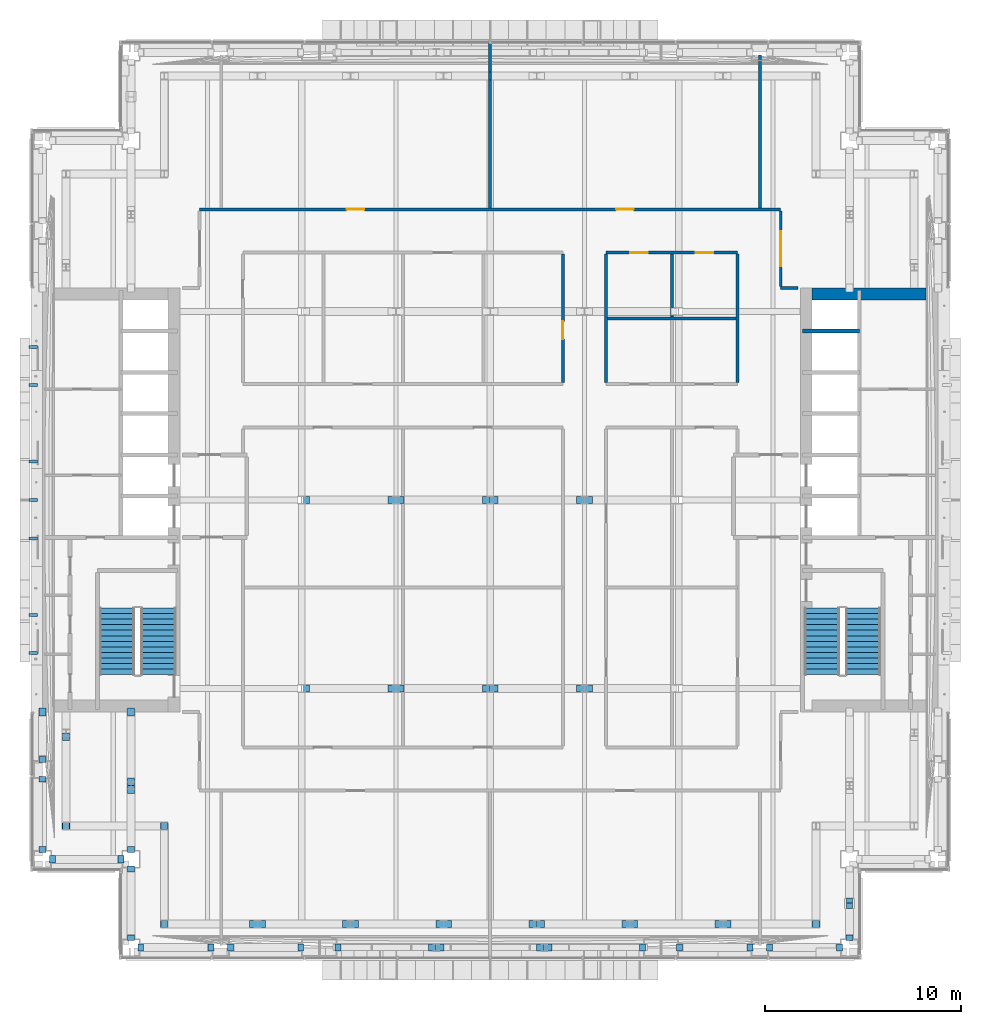
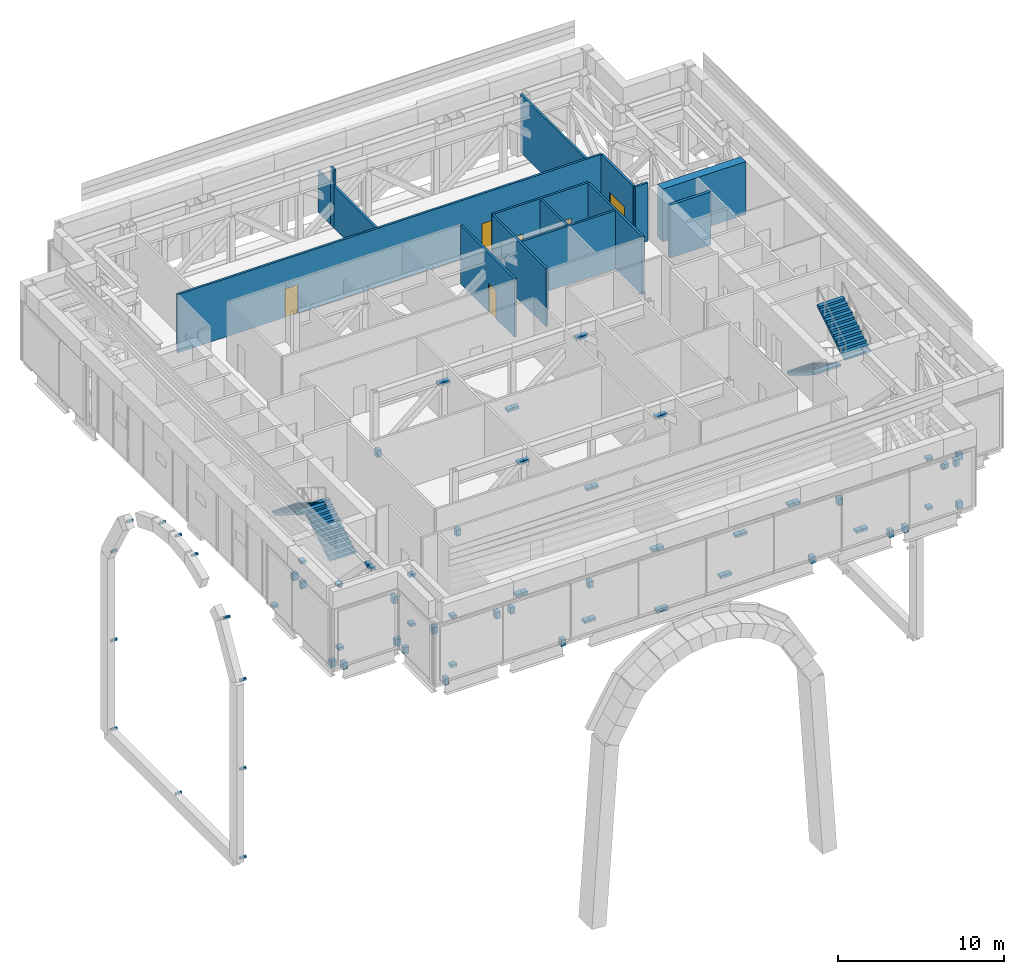
# One storey, part 13 of 38: 77 discrete accessories, 15 walls, 6 doors, 4 stair flights, 6 openings, 2 elements without a shape of their own.
"""IFC4 building model written with IfcOpenShell, lengths in metres."""

from ifc_helpers import new_model, si_unit, direction, frame, frame_2d, origin, origin_2d, place, context, subcontext, project, spatial, polyline, rectangle, outline, extrude, material, layer, layer_set, type_object, element, fill, aggregate, save


model = new_model("IFC4")

# Units and contexts
model_context = context("Model", 3, precision=1e-05, world=origin(), true_north=direction((0.0, 1.0)))
body_context = subcontext(model_context, "Body", "Model", "MODEL_VIEW")
ifc_project = project(units=[si_unit("LENGTHUNIT", "METRE"), si_unit("AREAUNIT", "SQUARE_METRE"), si_unit("VOLUMEUNIT", "CUBIC_METRE"), si_unit("PLANEANGLEUNIT", "RADIAN"), si_unit("MASSUNIT", "GRAM", prefix="KILO")], contexts=[model_context])

# Site, building, storey
site_placement = place(None, origin())
site = spatial("IfcSite", under=ifc_project, at=site_placement, CompositionType="ELEMENT")
building_placement = place(site_placement, origin())
building = spatial("IfcBuilding", under=site, at=building_placement, Name="Cobrizo Arcos Hotel Tower", CompositionType="ELEMENT")
storey_placement = place(building_placement, frame((0.0, 0.0, 138.0)))
storey = spatial("IfcBuildingStorey", under=building, at=storey_placement, Name="L35", CompositionType="ELEMENT", Elevation=138.0)

# Walls
ifc_material_1 = material(Name="Gypsum board partition")
ifc_layer_1 = layer(ifc_material_1, 0.14990234375)
ifc_layer_set_1 = layer_set([ifc_layer_1], Name="Corridor wall EI 60 150")
wall_type_1 = type_object("IfcWallType", Name="Corridor wall EI 60 150", PredefinedType="PARTITIONING", material=ifc_layer_set_1)
wall_1_placement = place(storey_placement, frame((5.89990234375, 9.25, 0.0), z_axis=(0.0, 0.0, 1.0), x_axis=(1.0, 0.0, 0.0)))
element("IfcWall", 1, at=wall_1_placement, inside=storey, type_object=wall_type_1, Name="Partition 038", PredefinedType="PARTITIONING", context=body_context, shape_type="SweptSolid", body=[
    extrude(rectangle(XDim=6.7001953125, YDim=0.14990234375, at=frame_2d((3.35009765625, 0.0))), origin(), (0.0, 0.0, 1.0), 4.300048828125),
])
wall_2_placement = place(storey_placement, frame((14.800048828125, 10.800048828125, 0.0), z_axis=(0.0, 0.0, 1.0), x_axis=(1.0, 0.0, 0.0)))
element("IfcWall", 2, at=wall_2_placement, inside=storey, type_object=wall_type_1, Name="Partition 040", PredefinedType="PARTITIONING", context=body_context, shape_type="SweptSolid", body=[
    extrude(rectangle(XDim=0.8798828125, YDim=0.14990234375, at=frame_2d((0.43994140625, 0.0))), origin(), (0.0, 0.0, 1.0), 4.300048828125),
])

# Wall, openings, doors
wall_3_placement = place(storey_placement, frame((5.89990234375, 12.60009765625, 0.0), z_axis=(0.0, 0.0, 1.0), x_axis=(1.0, 0.0, 0.0)))
wall_3 = element("IfcWall", 3, at=wall_3_placement, inside=storey, type_object=wall_type_1, Name="Partition 042", PredefinedType="PARTITIONING", context=body_context, shape_type="SweptSolid", body=[
    extrude(rectangle(XDim=6.7001953125, YDim=0.14990234375, at=frame_2d((3.35009765625, 0.0))), origin(), (0.0, 0.0, 1.0), 4.300048828125),
])
opening_1_placement = place(wall_3_placement, frame((1.22509765625, 0.0, 0.0)))
opening_1 = element("IfcOpeningElement", 4, at=opening_1_placement, cuts=wall_3, Name="Opening RD-22", PredefinedType="OPENING", context=body_context, shape_type="SweptSolid", body=[
    extrude(rectangle(XDim=0.89990234375, YDim=2.10009765625, at=frame_2d((0.449951171875, 1.050048828125))), frame((0.0, 0.0869140625, 0.0), z_axis=(0.0, -1.0, 0.0), x_axis=(1.0, 0.0, 0.0)), (0.0, 0.0, 1.0), 0.173828125),
])
opening_2_placement = place(wall_3_placement, frame((4.574951171875, 0.0, 0.0)))
opening_2 = element("IfcOpeningElement", 5, at=opening_2_placement, cuts=wall_3, Name="Opening RD-24", PredefinedType="OPENING", context=body_context, shape_type="SweptSolid", body=[
    extrude(rectangle(XDim=0.89990234375, YDim=2.10009765625, at=frame_2d((0.449951171875, 1.050048828125))), frame((0.0, 0.0869140625, 0.0), z_axis=(0.0, -1.0, 0.0), x_axis=(1.0, 0.0, 0.0)), (0.0, 0.0, 1.0), 0.173828125),
])
ifc_material_2 = material(Name="Timber door leaf", Category="wood")
door_type_1 = type_object("IfcDoorType", Name="Room door FD30 900x2100", OperationType="SINGLE_SWING_LEFT", PredefinedType="DOOR", material=ifc_material_2)
door_1_placement = place(opening_1_placement, origin())
door_1 = element("IfcDoor", 6, at=door_1_placement, inside=storey, type_object=door_type_1, Name="Door RD-22", OperationType="SINGLE_SWING_LEFT", OverallHeight=2.10009765625, OverallWidth=0.89990234375, PredefinedType="DOOR", context=body_context, shape_type="SweptSolid", body=[
    extrude(rectangle(XDim=0.89990234375, YDim=2.10009765625, at=frame_2d((0.449951171875, 1.050048828125))), frame((0.0, 0.02490234375, 0.0), z_axis=(0.0, -1.0, 0.0), x_axis=(1.0, 0.0, 0.0)), (0.0, 0.0, 1.0), 0.050048828125),
])
fill(opening_1, door_1)
door_2_placement = place(opening_2_placement, origin())
door_2 = element("IfcDoor", 7, at=door_2_placement, inside=storey, type_object=door_type_1, Name="Door RD-24", OperationType="SINGLE_SWING_RIGHT", OverallHeight=2.10009765625, OverallWidth=0.89990234375, PredefinedType="DOOR", context=body_context, shape_type="SweptSolid", body=[
    extrude(rectangle(XDim=0.89990234375, YDim=2.10009765625, at=frame_2d((0.449951171875, 1.050048828125))), frame((0.0, 0.02490234375, 0.0), z_axis=(0.0, -1.0, 0.0), x_axis=(1.0, 0.0, 0.0)), (0.0, 0.0, 1.0), 0.050048828125),
])
fill(opening_2, door_2)

wall_4_placement = place(storey_placement, frame((-14.800048828125, 14.800048828125, 0.0), z_axis=(0.0, 0.0, 1.0), x_axis=(1.0, 0.0, 0.0)))
wall_4 = element("IfcWall", 8, at=wall_4_placement, inside=storey, type_object=wall_type_1, Name="Partition 043", PredefinedType="PARTITIONING", context=body_context, shape_type="SweptSolid", body=[
    extrude(rectangle(XDim=29.60009765625, YDim=0.14990234375, at=frame_2d((14.800048828125, 0.0))), origin(), (0.0, 0.0, 1.0), 4.300048828125),
])
opening_3_placement = place(wall_4_placement, frame((7.488037109375, 0.0, 0.0)))
opening_3 = element("IfcOpeningElement", 9, at=opening_3_placement, cuts=wall_4, Name="Opening RD-11", PredefinedType="OPENING", context=body_context, shape_type="SweptSolid", body=[
    extrude(rectangle(XDim=0.89990234375, YDim=2.10009765625, at=frame_2d((0.449951171875, 1.050048828125))), frame((0.0, 0.0869140625, 0.0), z_axis=(0.0, -1.0, 0.0), x_axis=(1.0, 0.0, 0.0)), (0.0, 0.0, 1.0), 0.173828125),
])
opening_4_placement = place(wall_4_placement, frame((21.212890625, 0.0, 0.0)))
opening_4 = element("IfcOpeningElement", 10, at=opening_4_placement, cuts=wall_4, Name="Opening RD-12", PredefinedType="OPENING", context=body_context, shape_type="SweptSolid", body=[
    extrude(rectangle(XDim=0.89990234375, YDim=2.10009765625, at=frame_2d((0.449951171875, 1.050048828125))), frame((0.0, 0.0869140625, 0.0), z_axis=(0.0, -1.0, 0.0), x_axis=(1.0, 0.0, 0.0)), (0.0, 0.0, 1.0), 0.173828125),
])
door_3_placement = place(opening_3_placement, origin())
door_3 = element("IfcDoor", 11, at=door_3_placement, inside=storey, type_object=door_type_1, Name="Door RD-11", OperationType="SINGLE_SWING_RIGHT", OverallHeight=2.10009765625, OverallWidth=0.89990234375, PredefinedType="DOOR", context=body_context, shape_type="SweptSolid", body=[
    extrude(rectangle(XDim=0.89990234375, YDim=2.10009765625, at=frame_2d((0.449951171875, 1.050048828125))), frame((0.0, 0.02490234375, 0.0), z_axis=(0.0, -1.0, 0.0), x_axis=(1.0, 0.0, 0.0)), (0.0, 0.0, 1.0), 0.050048828125),
])
fill(opening_3, door_3)
door_4_placement = place(opening_4_placement, origin())
door_4 = element("IfcDoor", 12, at=door_4_placement, inside=storey, type_object=door_type_1, Name="Door RD-12", OperationType="SINGLE_SWING_LEFT", OverallHeight=2.10009765625, OverallWidth=0.89990234375, PredefinedType="DOOR", context=body_context, shape_type="SweptSolid", body=[
    extrude(rectangle(XDim=0.89990234375, YDim=2.10009765625, at=frame_2d((0.449951171875, 1.050048828125))), frame((0.0, 0.02490234375, 0.0), z_axis=(0.0, -1.0, 0.0), x_axis=(1.0, 0.0, 0.0)), (0.0, 0.0, 1.0), 0.050048828125),
])
fill(opening_4, door_4)

# Walls
wall_5_placement = place(storey_placement, frame((0.0, 14.875, 0.0), z_axis=(0.0, 0.0, 1.0), x_axis=(0.0, 1.0, 0.0)))
element("IfcWall", 13, at=wall_5_placement, inside=storey, type_object=wall_type_1, Name="Partition 063", PredefinedType="PARTITIONING", context=body_context, shape_type="SweptSolid", body=[
    extrude(rectangle(XDim=6.52392578125, YDim=0.14990234375, at=frame_2d((3.261962890625, 0.0))), origin(), (0.0, 0.0, 1.0), 3.10009765625),
])
wall_6_placement = place(storey_placement, frame((0.0, 21.39892578125, 0.0), z_axis=(0.0, 0.0, 1.0), x_axis=(0.0, 1.0, 0.0)))
element("IfcWall", 14, at=wall_6_placement, inside=storey, type_object=wall_type_1, Name="Partition 064", PredefinedType="PARTITIONING", context=body_context, shape_type="SweptSolid", body=[
    extrude(rectangle(XDim=0.401123046875, YDim=0.14990234375, at=frame_2d((0.20068359375, 0.0))), origin(), (0.0, 0.0, 1.0), 4.300048828125),
])
wall_7_placement = place(storey_placement, frame((0.0, 21.800537109375, 0.0), z_axis=(0.0, 0.0, 1.0), x_axis=(0.0, 1.0, 0.0)))
element("IfcWall", 15, at=wall_7_placement, inside=storey, type_object=wall_type_1, Name="Partition 065", PredefinedType="PARTITIONING", context=body_context, shape_type="SweptSolid", body=[
    extrude(rectangle(XDim=1.4794921875, YDim=0.14990234375, at=frame_2d((0.73974609375, 0.0))), origin(), (0.0, 0.0, 1.0), 3.10009765625),
])

# Wall, opening, door
wall_8_placement = place(storey_placement, frame((3.699951171875, 5.97509765625, 0.0), z_axis=(0.0, 0.0, 1.0), x_axis=(0.0, 1.0, 0.0)))
wall_8 = element("IfcWall", 16, at=wall_8_placement, inside=storey, type_object=wall_type_1, Name="Partition 067", PredefinedType="PARTITIONING", context=body_context, shape_type="SweptSolid", body=[
    extrude(rectangle(XDim=6.5498046875, YDim=0.14990234375, at=frame_2d((3.27490234375, 0.0))), origin(), (0.0, 0.0, 1.0), 4.300048828125),
])
opening_5_placement = place(wall_8_placement, frame((2.22509765625, 0.0, 0.0)))
opening_5 = element("IfcOpeningElement", 17, at=opening_5_placement, cuts=wall_8, Name="Opening RD-32", PredefinedType="OPENING", context=body_context, shape_type="SweptSolid", body=[
    extrude(rectangle(XDim=0.89990234375, YDim=2.10009765625, at=frame_2d((0.449951171875, 1.050048828125))), frame((0.0, 0.0869140625, 0.0), z_axis=(0.0, -1.0, 0.0), x_axis=(1.0, 0.0, 0.0)), (0.0, 0.0, 1.0), 0.173828125),
])
door_5_placement = place(opening_5_placement, origin())
door_5 = element("IfcDoor", 18, at=door_5_placement, inside=storey, type_object=door_type_1, Name="Door RD-32", OperationType="SINGLE_SWING_RIGHT", OverallHeight=2.10009765625, OverallWidth=0.89990234375, PredefinedType="DOOR", context=body_context, shape_type="SweptSolid", body=[
    extrude(rectangle(XDim=0.89990234375, YDim=2.10009765625, at=frame_2d((0.449951171875, 1.050048828125))), frame((0.0, 0.02490234375, 0.0), z_axis=(0.0, -1.0, 0.0), x_axis=(1.0, 0.0, 0.0)), (0.0, 0.0, 1.0), 0.050048828125),
])
fill(opening_5, door_5)

# Walls
wall_9_placement = place(storey_placement, frame((5.89990234375, 5.97509765625, 0.0), z_axis=(0.0, 0.0, 1.0), x_axis=(0.0, 1.0, 0.0)))
element("IfcWall", 19, at=wall_9_placement, inside=storey, type_object=wall_type_1, Name="Partition 069", PredefinedType="PARTITIONING", context=body_context, shape_type="SweptSolid", body=[
    extrude(rectangle(XDim=6.5498046875, YDim=0.14990234375, at=frame_2d((3.27490234375, 0.0))), origin(), (0.0, 0.0, 1.0), 4.300048828125),
])
wall_10_placement = place(storey_placement, frame((9.25, 9.324951171875, 0.0), z_axis=(0.0, 0.0, 1.0), x_axis=(0.0, 1.0, 0.0)))
element("IfcWall", 20, at=wall_10_placement, inside=storey, type_object=wall_type_1, Name="Partition 073", PredefinedType="PARTITIONING", context=body_context, shape_type="SweptSolid", body=[
    extrude(rectangle(XDim=3.199951171875, YDim=0.14990234375, at=frame_2d((1.60009765625, 0.0))), origin(), (0.0, 0.0, 1.0), 4.300048828125),
])
wall_11_placement = place(storey_placement, frame((12.60009765625, 5.97509765625, 0.0), z_axis=(0.0, 0.0, 1.0), x_axis=(0.0, 1.0, 0.0)))
element("IfcWall", 21, at=wall_11_placement, inside=storey, type_object=wall_type_1, Name="Partition 077", PredefinedType="PARTITIONING", context=body_context, shape_type="SweptSolid", body=[
    extrude(rectangle(XDim=6.5498046875, YDim=0.14990234375, at=frame_2d((3.27490234375, 0.0))), origin(), (0.0, 0.0, 1.0), 4.300048828125),
])
wall_12_placement = place(storey_placement, frame((13.75, 14.875, 0.0), z_axis=(0.0, 0.0, 1.0), x_axis=(0.0, 1.0, 0.0)))
element("IfcWall", 22, at=wall_12_placement, inside=storey, type_object=wall_type_1, Name="Partition 079", PredefinedType="PARTITIONING", context=body_context, shape_type="SweptSolid", body=[
    extrude(rectangle(XDim=7.804931640625, YDim=0.14990234375, at=frame_2d((3.90234375, 0.0))), origin(), (0.0, 0.0, 1.0), 4.300048828125),
])

# Wall, opening, door
wall_13_placement = place(storey_placement, frame((14.800048828125, 10.875, 0.0), z_axis=(0.0, 0.0, 1.0), x_axis=(0.0, 1.0, 0.0)))
wall_13 = element("IfcWall", 23, at=wall_13_placement, inside=storey, type_object=wall_type_1, Name="Partition 081", PredefinedType="PARTITIONING", context=body_context, shape_type="SweptSolid", body=[
    extrude(rectangle(XDim=3.85009765625, YDim=0.14990234375, at=frame_2d((1.925048828125, 0.0))), origin(), (0.0, 0.0, 1.0), 4.300048828125),
])
opening_6_placement = place(wall_13_placement, frame((1.02490234375, 0.0, 0.0)))
opening_6 = element("IfcOpeningElement", 24, at=opening_6_placement, cuts=wall_13, Name="Opening DD-02", PredefinedType="OPENING", context=body_context, shape_type="SweptSolid", body=[
    extrude(rectangle(XDim=1.800048828125, YDim=2.10009765625, at=frame_2d((0.89990234375, 1.050048828125))), frame((0.0, 0.0869140625, 0.0), z_axis=(0.0, -1.0, 0.0), x_axis=(1.0, 0.0, 0.0)), (0.0, 0.0, 1.0), 0.173828125),
])
door_type_2 = type_object("IfcDoorType", Name="Double door FD30 1800x2100", OperationType="DOUBLE_DOOR_SINGLE_SWING", PredefinedType="DOOR", material=ifc_material_2)
door_6_placement = place(opening_6_placement, origin())
door_6 = element("IfcDoor", 25, at=door_6_placement, inside=storey, type_object=door_type_2, Name="Door DD-02", OperationType="DOUBLE_DOOR_SINGLE_SWING", OverallHeight=2.10009765625, OverallWidth=1.800048828125, PredefinedType="DOOR", context=body_context, shape_type="SweptSolid", body=[
    extrude(rectangle(XDim=1.800048828125, YDim=2.10009765625, at=frame_2d((0.89990234375, 1.050048828125))), frame((0.0, 0.02490234375, 0.0), z_axis=(0.0, -1.0, 0.0), x_axis=(1.0, 0.0, 0.0)), (0.0, 0.0, 1.0), 0.050048828125),
])
fill(opening_6, door_6)

# Walls
ifc_material_3 = material(Name="Concrete f'c 50 MPa", Category="concrete")
ifc_layer_2 = layer(ifc_material_3, 0.60009765625)
ifc_layer_set_2 = layer_set([ifc_layer_2], Name="RC core wall 600 f'c 50")
wall_type_2 = type_object("IfcWallType", Name="RC core wall 600 f'c 50", PredefinedType="SHEAR", material=ifc_layer_set_2)
wall_14_placement = place(storey_placement, frame((16.39990234375, 10.5, 0.0), z_axis=(0.0, 0.0, 1.0), x_axis=(1.0, 0.0, 0.0)))
element("IfcWall", 26, at=wall_14_placement, inside=storey, type_object=wall_type_2, Name="Core wall CW2, east core, north end, L35", PredefinedType="SHEAR", context=body_context, shape_type="SweptSolid", body=[
    extrude(rectangle(XDim=5.800048828125, YDim=0.60009765625, at=frame_2d((2.89990234375, 0.0))), origin(), (0.0, 0.0, 1.0), 3.89990234375),
])
ifc_layer_3 = layer(ifc_material_1, 0.199951171875)
ifc_layer_set_3 = layer_set([ifc_layer_3], Name="Shaft wall EI 120 200")
wall_type_3 = type_object("IfcWallType", Name="Shaft wall EI 120 200", PredefinedType="PARTITIONING", material=ifc_layer_set_3)
wall_15_placement = place(storey_placement, frame((15.919921875, 8.60009765625, 0.0), z_axis=(0.0, 0.0, 1.0), x_axis=(1.0, 0.0, 0.0)))
element("IfcWall", 27, at=wall_15_placement, inside=storey, type_object=wall_type_3, Name="Partition 037", PredefinedType="PARTITIONING", context=body_context, shape_type="SweptSolid", body=[
    extrude(rectangle(XDim=2.880126953125, YDim=0.199951171875, at=frame_2d((1.43994140625, 0.0))), origin(), (0.0, 0.0, 1.0), 3.89990234375),
])

# Stair, stair flights
ifc_material_4 = material(Name="Concrete f'c 40 MPa", Category="concrete")
stair_type = type_object("IfcStairType", Name="Exit stair", PredefinedType="HALF_TURN_STAIR", material=ifc_material_4)
stair_1_placement = place(storey_placement, origin())
stair_1 = element("IfcStair", 28, at=stair_1_placement, inside=storey, type_object=stair_type, Name="L35 Exit stair ST-W", PredefinedType="HALF_TURN_STAIR")
stair_flight_type = type_object("IfcStairFlightType", Name="Exit stair flight", PredefinedType="STRAIGHT", material=ifc_material_4)
stair_flight_1_placement = place(storey_placement, frame((-16.89990234375, -8.89990234375, 0.0), z_axis=(0.0, 0.0, 1.0), x_axis=(0.0, 1.0, 0.0)))
stair_flight_1 = element("IfcStairFlight", 29, at=stair_flight_1_placement, type_object=stair_flight_type, Name="ST-W flight 1", NumberOfRisers=13, NumberOfTreads=12, PredefinedType="STRAIGHT", RiserHeight=0.173076923, TreadLength=0.283333333, context=body_context, shape_type="SweptSolid", body=[
    extrude(outline(polyline([(0.0, 0.0), (0.0, 0.173095703125), (0.283447265625, 0.173095703125), (0.283447265625, 0.34619140625), (0.566650390625, 0.34619140625), (0.566650390625, 0.519287109375), (0.85009765625, 0.519287109375), (0.85009765625, 0.6923828125), (1.13330078125, 0.6923828125), (1.13330078125, 0.865478515625), (1.416748046875, 0.865478515625), (1.416748046875, 1.03857421875), (1.699951171875, 1.03857421875), (1.699951171875, 1.21142578125), (1.9833984375, 1.21142578125), (1.9833984375, 1.384521484375), (2.2666015625, 1.384521484375), (2.2666015625, 1.5576171875), (2.550048828125, 1.5576171875), (2.550048828125, 1.730712890625), (2.833251953125, 1.730712890625), (2.833251953125, 1.90380859375), (3.11669921875, 1.90380859375), (3.11669921875, 2.076904296875), (3.39990234375, 2.076904296875), (3.39990234375, 2.25), (3.39990234375, 1.9013671875), (0.28759765625, 0.0), (0.0, 0.0)])), frame((0.0, 0.89990234375, 0.0), z_axis=(0.0, -1.0, 0.0), x_axis=(1.0, 0.0, 0.0)), (0.0, 0.0, 1.0), 1.800048828125),
])
stair_flight_2_placement = place(storey_placement, frame((-19.0, -5.5, 2.25), z_axis=(0.0, 0.0, 1.0), x_axis=(0.0, -1.0, 0.0)))
stair_flight_2 = element("IfcStairFlight", 30, at=stair_flight_2_placement, type_object=stair_flight_type, Name="ST-W flight 2", NumberOfRisers=13, NumberOfTreads=12, PredefinedType="STRAIGHT", RiserHeight=0.173076923, TreadLength=0.283333333, context=body_context, shape_type="SweptSolid", body=[
    extrude(outline(polyline([(0.0, 0.0), (0.0, 0.173095703125), (0.283447265625, 0.173095703125), (0.283447265625, 0.34619140625), (0.566650390625, 0.34619140625), (0.566650390625, 0.519287109375), (0.85009765625, 0.519287109375), (0.85009765625, 0.6923828125), (1.13330078125, 0.6923828125), (1.13330078125, 0.865478515625), (1.416748046875, 0.865478515625), (1.416748046875, 1.03857421875), (1.699951171875, 1.03857421875), (1.699951171875, 1.21142578125), (1.9833984375, 1.21142578125), (1.9833984375, 1.384521484375), (2.2666015625, 1.384521484375), (2.2666015625, 1.5576171875), (2.550048828125, 1.5576171875), (2.550048828125, 1.730712890625), (2.833251953125, 1.730712890625), (2.833251953125, 1.90380859375), (3.11669921875, 1.90380859375), (3.11669921875, 2.076904296875), (3.39990234375, 2.076904296875), (3.39990234375, 2.25), (3.39990234375, 1.9013671875), (0.28759765625, 0.0), (0.0, 0.0)])), frame((0.0, 0.89990234375, 0.0), z_axis=(0.0, -1.0, 0.0), x_axis=(1.0, 0.0, 0.0)), (0.0, 0.0, 1.0), 1.800048828125),
])
aggregate(stair_1, [stair_flight_1, stair_flight_2])

stair_2_placement = place(storey_placement, origin())
stair_2 = element("IfcStair", 31, at=stair_2_placement, inside=storey, type_object=stair_type, Name="L35 Exit stair ST-E", PredefinedType="HALF_TURN_STAIR")
stair_flight_3_placement = place(storey_placement, frame((16.89990234375, -5.5, 0.0), z_axis=(0.0, 0.0, 1.0), x_axis=(0.0, -1.0, 0.0)))
stair_flight_3 = element("IfcStairFlight", 32, at=stair_flight_3_placement, type_object=stair_flight_type, Name="ST-E flight 1", NumberOfRisers=13, NumberOfTreads=12, PredefinedType="STRAIGHT", RiserHeight=0.173076923, TreadLength=0.283333333, context=body_context, shape_type="SweptSolid", body=[
    extrude(outline(polyline([(0.0, 0.0), (0.0, 0.173095703125), (0.283447265625, 0.173095703125), (0.283447265625, 0.34619140625), (0.566650390625, 0.34619140625), (0.566650390625, 0.519287109375), (0.85009765625, 0.519287109375), (0.85009765625, 0.6923828125), (1.13330078125, 0.6923828125), (1.13330078125, 0.865478515625), (1.416748046875, 0.865478515625), (1.416748046875, 1.03857421875), (1.699951171875, 1.03857421875), (1.699951171875, 1.21142578125), (1.9833984375, 1.21142578125), (1.9833984375, 1.384521484375), (2.2666015625, 1.384521484375), (2.2666015625, 1.5576171875), (2.550048828125, 1.5576171875), (2.550048828125, 1.730712890625), (2.833251953125, 1.730712890625), (2.833251953125, 1.90380859375), (3.11669921875, 1.90380859375), (3.11669921875, 2.076904296875), (3.39990234375, 2.076904296875), (3.39990234375, 2.25), (3.39990234375, 1.9013671875), (0.28759765625, 0.0), (0.0, 0.0)])), frame((0.0, 0.89990234375, 0.0), z_axis=(0.0, -1.0, 0.0), x_axis=(1.0, 0.0, 0.0)), (0.0, 0.0, 1.0), 1.800048828125),
])
stair_flight_4_placement = place(storey_placement, frame((19.0, -8.89990234375, 2.25), z_axis=(0.0, 0.0, 1.0), x_axis=(0.0, 1.0, 0.0)))
stair_flight_4 = element("IfcStairFlight", 33, at=stair_flight_4_placement, type_object=stair_flight_type, Name="ST-E flight 2", NumberOfRisers=13, NumberOfTreads=12, PredefinedType="STRAIGHT", RiserHeight=0.173076923, TreadLength=0.283333333, context=body_context, shape_type="SweptSolid", body=[
    extrude(outline(polyline([(0.0, 0.0), (0.0, 0.173095703125), (0.283447265625, 0.173095703125), (0.283447265625, 0.34619140625), (0.566650390625, 0.34619140625), (0.566650390625, 0.519287109375), (0.85009765625, 0.519287109375), (0.85009765625, 0.6923828125), (1.13330078125, 0.6923828125), (1.13330078125, 0.865478515625), (1.416748046875, 0.865478515625), (1.416748046875, 1.03857421875), (1.699951171875, 1.03857421875), (1.699951171875, 1.21142578125), (1.9833984375, 1.21142578125), (1.9833984375, 1.384521484375), (2.2666015625, 1.384521484375), (2.2666015625, 1.5576171875), (2.550048828125, 1.5576171875), (2.550048828125, 1.730712890625), (2.833251953125, 1.730712890625), (2.833251953125, 1.90380859375), (3.11669921875, 1.90380859375), (3.11669921875, 2.076904296875), (3.39990234375, 2.076904296875), (3.39990234375, 2.25), (3.39990234375, 1.9013671875), (0.28759765625, 0.0), (0.0, 0.0)])), frame((0.0, 0.89990234375, 0.0), z_axis=(0.0, -1.0, 0.0), x_axis=(1.0, 0.0, 0.0)), (0.0, 0.0, 1.0), 1.800048828125),
])
aggregate(stair_2, [stair_flight_3, stair_flight_4])

# Discrete accessories
ifc_material_5 = material(Name="Steel ASTM A500 Grade C", Category="steel")
discrete_accessory_type_1 = type_object("IfcDiscreteAccessoryType", Name="BR-1 fin bracket", PredefinedType="BRACKET", material=ifc_material_5)
for number, where, z_axis, x_axis, name in (
    (34, (-23.27490234375, -7.800048828125, -7.507568359375), (0.0, 0.0, 1.0), (1.0, 0.0, 0.0), "Arch rim bracket B W"),
    (35, (-23.27490234375, -5.85009765625, -4.108642578125), (0.0, 0.0, 1.0), (1.0, 0.0, 0.0), "Arch rim bracket B W"),
    (36, (-23.27490234375, -1.949951171875, -1.85302734375), (0.0, 0.0, 1.0), (1.0, 0.0, 0.0), "Arch rim bracket B W"),
    (37, (-23.27490234375, 0.0, -1.614990234375), (0.0, 0.0, 1.0), (1.0, 0.0, 0.0), "Arch rim bracket B W"),
    (38, (-23.27490234375, 1.949951171875, -1.85302734375), (0.0, 0.0, 1.0), (1.0, 0.0, 0.0), "Arch rim bracket B W"),
    (39, (-23.27490234375, 5.85009765625, -4.108642578125), (0.0, 0.0, 1.0), (1.0, 0.0, 0.0), "Arch rim bracket B W"),
    (40, (-23.27490234375, 7.800048828125, -7.507568359375), (0.0, 0.0, 1.0), (1.0, 0.0, 0.0), "Arch rim bracket B W"),
    (41, (-23.27490234375, -7.800048828125, -20.625), (0.0, 0.0, 1.0), (1.0, 0.0, 0.0), "Arch rim bracket B W"),
    (42, (-23.27490234375, -7.800048828125, -14.066162109375), (0.0, 0.0, 1.0), (1.0, 0.0, 0.0), "Arch rim bracket B W"),
    (43, (-23.27490234375, 7.800048828125, -20.625), (0.0, 0.0, 1.0), (1.0, 0.0, 0.0), "Arch rim bracket B W"),
    (44, (-23.27490234375, 7.800048828125, -14.066162109375), (0.0, 0.0, 1.0), (1.0, 0.0, 0.0), "Arch rim bracket B W"),
    (45, (-23.27490234375, 0.0, -20.625), (0.0, 0.0, 1.0), (1.0, 0.0, 0.0), "Arch rim bracket B W"),
):
    element("IfcDiscreteAccessory", number, at=place(storey_placement, frame(where, z_axis=z_axis, x_axis=x_axis)), inside=storey, type_object=discrete_accessory_type_1, Name=name, PredefinedType="BRACKET", context=body_context, shape_type="SweptSolid", body=[
        extrude(rectangle(XDim=0.449951171875, YDim=0.14990234375, at=origin_2d()), origin(), (0.0, 0.0, 1.0), 0.14990234375),
    ])
ifc_material_6 = material(Name="Steel ASTM A572 Grade 50", Category="steel")
discrete_accessory_type_2 = type_object("IfcDiscreteAccessoryType", Name="GP-3 truss end block 300x360x500", PredefinedType="BRACKET", material=ifc_material_6)
for number, where, z_axis, x_axis, name in (
    (46, (-17.800048828125, -22.800048828125, -0.550048828125), (0.0, 0.0, 1.0), (1.0, 0.0, 0.0), "Truss end block"),
    (47, (-14.22509765625, -22.800048828125, 3.059326171875), (0.0, 0.0, 1.0), (-1.0, 0.0, 0.0), "Truss end block"),
    (48, (-13.22509765625, -22.800048828125, 3.059326171875), (0.0, 0.0, 1.0), (1.0, 0.0, 0.0), "Truss end block"),
    (49, (-9.64990234375, -22.800048828125, -0.550048828125), (0.0, 0.0, 1.0), (-1.0, 0.0, 0.0), "Truss end block"),
    (50, (-7.75, -22.800048828125, 3.059326171875), (0.0, 0.0, 1.0), (1.0, 0.0, 0.0), "Truss end block"),
    (51, (7.75, -22.800048828125, -0.550048828125), (0.0, 0.0, 1.0), (-1.0, 0.0, 0.0), "Truss end block"),
    (52, (9.64990234375, -22.800048828125, 3.059326171875), (0.0, 0.0, 1.0), (1.0, 0.0, 0.0), "Truss end block"),
    (53, (13.22509765625, -22.800048828125, -0.550048828125), (0.0, 0.0, 1.0), (-1.0, 0.0, 0.0), "Truss end block"),
    (54, (14.22509765625, -22.800048828125, -0.550048828125), (0.0, 0.0, 1.0), (1.0, 0.0, 0.0), "Truss end block"),
    (55, (17.800048828125, -22.800048828125, 3.059326171875), (0.0, 0.0, 1.0), (-1.0, 0.0, 0.0), "Truss end block"),
    (56, (18.300048828125, -22.300048828125, -0.550048828125), (0.0, 0.0, 1.0), (0.0, 1.0, 0.0), "Truss end block"),
    (57, (-22.800048828125, -13.22509765625, 3.059326171875), (0.0, 0.0, 1.0), (0.0, 1.0, 0.0), "Truss end block"),
    (58, (-22.800048828125, -14.22509765625, 3.059326171875), (0.0, 0.0, 1.0), (0.0, -1.0, 0.0), "Truss end block"),
    (59, (-22.800048828125, -17.800048828125, -0.550048828125), (0.0, 0.0, 1.0), (0.0, 1.0, 0.0), "Truss end block"),
    (60, (-22.300048828125, -18.300048828125, -0.550048828125), (0.0, 0.0, 1.0), (1.0, 0.0, 0.0), "Truss end block"),
    (61, (-18.800048828125, -18.300048828125, 3.059326171875), (0.0, 0.0, 1.0), (-1.0, 0.0, 0.0), "Truss end block"),
    (62, (-18.300048828125, -18.800048828125, -0.550048828125), (0.0, 0.0, 1.0), (0.0, -1.0, 0.0), "Truss end block"),
    (63, (-18.300048828125, -22.300048828125, 3.059326171875), (0.0, 0.0, 1.0), (0.0, 1.0, 0.0), "Truss end block"),
    (64, (18.300048828125, -22.300048828125, 3.059326171875), (0.0, 0.0, 1.0), (0.0, 1.0, 0.0), "Truss end block"),
    (65, (-18.300048828125, -17.800048828125, -0.550048828125), (0.0, 0.0, 1.0), (0.0, 1.0, 0.0), "Truss end block"),
    (66, (-9.3505859375, -9.60009765625, -0.550048828125), (0.0, 0.0, 1.0), (1.0, 0.0, 0.0), "Truss end block"),
    (67, (-9.3505859375, 0.0, -0.550048828125), (0.0, 0.0, 1.0), (1.0, 0.0, 0.0), "Truss end block"),
):
    element("IfcDiscreteAccessory", number, at=place(storey_placement, frame(where, z_axis=z_axis, x_axis=x_axis)), inside=storey, type_object=discrete_accessory_type_2, Name=name, PredefinedType="BRACKET", context=body_context, shape_type="SweptSolid", body=[
        extrude(rectangle(XDim=0.300048828125, YDim=0.360107421875, at=origin_2d()), origin(), (0.0, 0.0, 1.0), 0.5),
    ])
discrete_accessory_type_3 = type_object("IfcDiscreteAccessoryType", Name="GP-4 truss chord plate 400x360x200", PredefinedType="BRACKET", material=ifc_material_6)
for number, where, z_axis, x_axis, name in (
    (68, (-2.949951171875, -22.800048828125, -0.39990234375), (0.0, 0.0, 1.0), (1.0, 0.0, 0.0), "Truss chord plate"),
    (69, (-2.550048828125, -22.800048828125, -0.39990234375), (0.0, 0.0, 1.0), (1.0, 0.0, 0.0), "Truss chord plate"),
    (70, (2.550048828125, -22.800048828125, 3.20947265625), (0.0, 0.0, 1.0), (1.0, 0.0, 0.0), "Truss chord plate"),
    (71, (2.949951171875, -22.800048828125, 3.20947265625), (0.0, 0.0, 1.0), (1.0, 0.0, 0.0), "Truss chord plate"),
    (72, (-22.800048828125, -10.801025390625, -0.39990234375), (0.0, 0.0, 1.0), (0.0, -1.0, 0.0), "Truss chord plate"),
    (73, (-16.60009765625, -21.60009765625, -0.39990234375), (0.0, 0.0, 1.0), (1.0, 0.0, 0.0), "Truss chord plate"),
    (74, (-12.056884765625, -21.60009765625, 3.20947265625), (0.0, 0.0, 1.0), (1.0, 0.0, 0.0), "Truss chord plate"),
    (75, (-11.656982421875, -21.60009765625, 3.20947265625), (0.0, 0.0, 1.0), (1.0, 0.0, 0.0), "Truss chord plate"),
    (76, (-7.31396484375, -21.60009765625, -0.39990234375), (0.0, 0.0, 1.0), (1.0, 0.0, 0.0), "Truss chord plate"),
    (77, (-6.9140625, -21.60009765625, -0.39990234375), (0.0, 0.0, 1.0), (1.0, 0.0, 0.0), "Truss chord plate"),
    (78, (-2.571044921875, -21.60009765625, 3.20947265625), (0.0, 0.0, 1.0), (1.0, 0.0, 0.0), "Truss chord plate"),
    (79, (-2.1708984375, -21.60009765625, 3.20947265625), (0.0, 0.0, 1.0), (1.0, 0.0, 0.0), "Truss chord plate"),
    (80, (2.1708984375, -21.60009765625, -0.39990234375), (0.0, 0.0, 1.0), (1.0, 0.0, 0.0), "Truss chord plate"),
    (81, (2.571044921875, -21.60009765625, -0.39990234375), (0.0, 0.0, 1.0), (1.0, 0.0, 0.0), "Truss chord plate"),
    (82, (6.9140625, -21.60009765625, 3.20947265625), (0.0, 0.0, 1.0), (1.0, 0.0, 0.0), "Truss chord plate"),
    (83, (7.31396484375, -21.60009765625, 3.20947265625), (0.0, 0.0, 1.0), (1.0, 0.0, 0.0), "Truss chord plate"),
    (84, (11.656982421875, -21.60009765625, -0.39990234375), (0.0, 0.0, 1.0), (1.0, 0.0, 0.0), "Truss chord plate"),
    (85, (12.056884765625, -21.60009765625, -0.39990234375), (0.0, 0.0, 1.0), (1.0, 0.0, 0.0), "Truss chord plate"),
    (86, (16.60009765625, -21.60009765625, 3.20947265625), (0.0, 0.0, 1.0), (1.0, 0.0, 0.0), "Truss chord plate"),
    (87, (16.60009765625, -21.60009765625, -0.39990234375), (0.0, 0.0, 1.0), (0.0, 1.0, 0.0), "Truss chord plate"),
    (88, (-21.60009765625, -12.056884765625, 3.20947265625), (0.0, 0.0, 1.0), (0.0, -1.0, 0.0), "Truss chord plate"),
    (89, (-21.60009765625, -16.60009765625, -0.39990234375), (0.0, 0.0, 1.0), (0.0, -1.0, 0.0), "Truss chord plate"),
    (90, (-21.60009765625, -16.60009765625, -0.39990234375), (0.0, 0.0, 1.0), (1.0, 0.0, 0.0), "Truss chord plate"),
    (91, (-16.60009765625, -16.60009765625, 3.20947265625), (0.0, 0.0, 1.0), (1.0, 0.0, 0.0), "Truss chord plate"),
    (92, (-16.60009765625, -16.60009765625, -0.39990234375), (0.0, 0.0, 1.0), (0.0, -1.0, 0.0), "Truss chord plate"),
    (93, (-16.60009765625, -21.60009765625, 3.20947265625), (0.0, 0.0, 1.0), (0.0, -1.0, 0.0), "Truss chord plate"),
    (94, (-18.300048828125, -10.800048828125, -0.39990234375), (0.0, 0.0, 1.0), (0.0, -1.0, 0.0), "Truss chord plate"),
    (95, (-18.300048828125, -14.35009765625, 3.20947265625), (0.0, 0.0, 1.0), (0.0, -1.0, 0.0), "Truss chord plate"),
    (96, (-18.300048828125, -14.75, 3.20947265625), (0.0, 0.0, 1.0), (0.0, -1.0, 0.0), "Truss chord plate"),
    (97, (-5.0, -9.60009765625, 3.20947265625), (0.0, 0.0, 1.0), (1.0, 0.0, 0.0), "Truss chord plate"),
    (98, (-4.60009765625, -9.60009765625, 3.20947265625), (0.0, 0.0, 1.0), (1.0, 0.0, 0.0), "Truss chord plate"),
    (99, (-0.199951171875, -9.60009765625, -0.39990234375), (0.0, 0.0, 1.0), (1.0, 0.0, 0.0), "Truss chord plate"),
    (100, (0.199951171875, -9.60009765625, -0.39990234375), (0.0, 0.0, 1.0), (1.0, 0.0, 0.0), "Truss chord plate"),
    (101, (4.60009765625, -9.60009765625, 3.20947265625), (0.0, 0.0, 1.0), (1.0, 0.0, 0.0), "Truss chord plate"),
    (102, (5.0, -9.60009765625, 3.20947265625), (0.0, 0.0, 1.0), (1.0, 0.0, 0.0), "Truss chord plate"),
    (103, (-5.0, 0.0, 3.20947265625), (0.0, 0.0, 1.0), (1.0, 0.0, 0.0), "Truss chord plate"),
    (104, (-4.60009765625, 0.0, 3.20947265625), (0.0, 0.0, 1.0), (1.0, 0.0, 0.0), "Truss chord plate"),
    (105, (-0.199951171875, 0.0, -0.39990234375), (0.0, 0.0, 1.0), (1.0, 0.0, 0.0), "Truss chord plate"),
    (106, (0.199951171875, 0.0, -0.39990234375), (0.0, 0.0, 1.0), (1.0, 0.0, 0.0), "Truss chord plate"),
    (107, (4.60009765625, 0.0, 3.20947265625), (0.0, 0.0, 1.0), (1.0, 0.0, 0.0), "Truss chord plate"),
    (108, (5.0, 0.0, 3.20947265625), (0.0, 0.0, 1.0), (1.0, 0.0, 0.0), "Truss chord plate"),
):
    element("IfcDiscreteAccessory", number, at=place(storey_placement, frame(where, z_axis=z_axis, x_axis=x_axis)), inside=storey, type_object=discrete_accessory_type_3, Name=name, PredefinedType="BRACKET", context=body_context, shape_type="SweptSolid", body=[
        extrude(rectangle(XDim=0.39990234375, YDim=0.360107421875, at=origin_2d()), origin(), (0.0, 0.0, 1.0), 0.199951171875),
    ])
discrete_accessory_type_4 = type_object("IfcDiscreteAccessoryType", Name="GP-5 brace end plate 300x300x300", PredefinedType="BRACKET", material=ifc_material_6)
for number, where, z_axis, x_axis, name in (
    (109, (18.300048828125, -20.430419921875, 1.22900390625), (0.0, 0.0, 1.0), (1.0, 0.0, 0.0), "Brace end plate"),
    (110, (18.300048828125, -20.669677734375, 1.47998046875), (0.0, 0.0, 1.0), (1.0, 0.0, 0.0), "Brace end plate"),
):
    element("IfcDiscreteAccessory", number, at=place(storey_placement, frame(where, z_axis=z_axis, x_axis=x_axis)), inside=storey, type_object=discrete_accessory_type_4, Name=name, PredefinedType="BRACKET", context=body_context, shape_type="SweptSolid", body=[
        extrude(rectangle(XDim=0.300048828125, YDim=0.300048828125, at=origin_2d()), origin(), (0.0, 0.0, 1.0), 0.300048828125),
    ])

save(model, "model.ifc")
